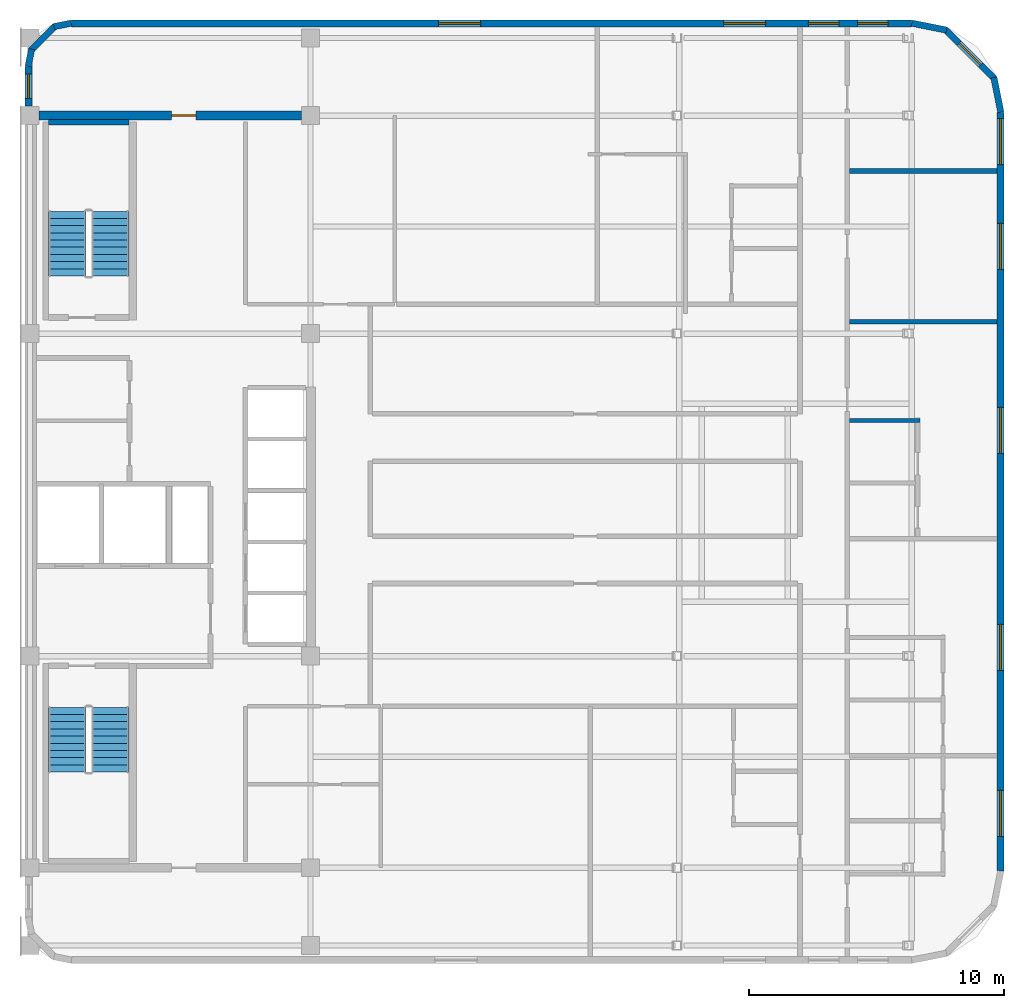
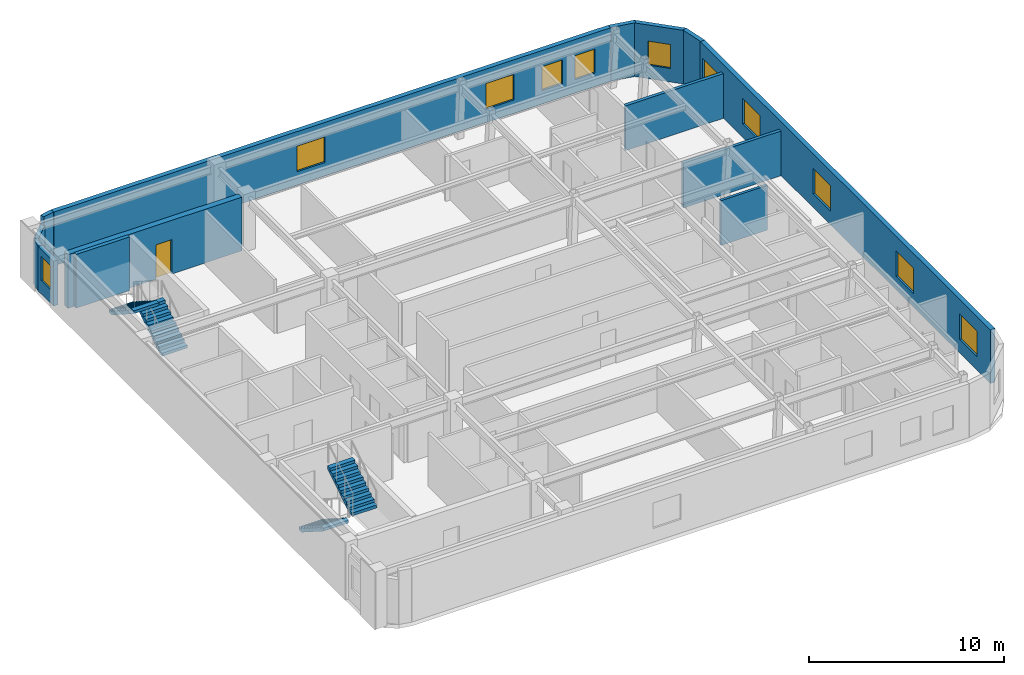
# One storey, part 5 of 6: 14 walls, 11 windows, 4 stair flights, 1 door, 12 openings, 2 elements without a shape of their own.
"""IFC4 building model written with IfcOpenShell, lengths in metres."""

from ifc_helpers import new_model, si_unit, direction, frame, frame_2d, origin, place, context, subcontext, project, spatial, polyline, rectangle, outline, extrude, material, layer, layer_set, type_object, element, fill, aggregate, save


model = new_model("IFC4")

# Units and contexts
model_context = context("Model", 3, precision=1e-05, world=origin(), true_north=direction((0.0, 1.0)))
body_context = subcontext(model_context, "Body", "Model", "MODEL_VIEW")
ifc_project = project(units=[si_unit("LENGTHUNIT", "METRE"), si_unit("AREAUNIT", "SQUARE_METRE"), si_unit("VOLUMEUNIT", "CUBIC_METRE"), si_unit("PLANEANGLEUNIT", "RADIAN"), si_unit("MASSUNIT", "GRAM", prefix="KILO")], contexts=[model_context])

# Site, building, storey
site_placement = place(None, origin())
site = spatial("IfcSite", under=ifc_project, at=site_placement, CompositionType="ELEMENT")
building_placement = place(site_placement, origin())
building = spatial("IfcBuilding", under=site, at=building_placement, Name="Ochreholt Gables", CompositionType="ELEMENT")
storey_placement = place(building_placement, frame((0.0, 0.0, 274.800048828125)))
storey = spatial("IfcBuildingStorey", under=building, at=storey_placement, Name="L72", CompositionType="ELEMENT", Elevation=274.800048828125)

# Wall, opening, door
ifc_material_1 = material(Name="Concrete 50 MPa", Category="concrete")
ifc_layer_1 = layer(ifc_material_1, 0.35009765625, Name="Concrete 50 MPa")
ifc_layer_set_1 = layer_set([ifc_layer_1], Name="Concrete 50 MPa")
wall_type_1 = type_object("IfcWallType", Name="WALL-CSW-350", PredefinedType="SHEAR", material=ifc_layer_set_1)
wall_1_placement = place(storey_placement, frame((24.550048828125, 38.75, 0.0), z_axis=(0.0, 0.0, 1.0), x_axis=(1.0, 0.0, 0.0)))
wall_1 = element("IfcWall", 1, at=wall_1_placement, inside=storey, type_object=wall_type_1, Name="L72 Core North Shear Wall", PredefinedType="SHEAR", context=body_context, shape_type="SweptSolid", body=[
    extrude(rectangle(XDim=10.300048828125, YDim=0.35009765625, at=frame_2d((5.14990234375, 0.0))), origin(), (0.0, 0.0, 1.0), 3.35986328125),
])
opening_1_placement = place(wall_1_placement, frame((5.199951171875, 0.0, 0.0)))
opening_1 = element("IfcOpeningElement", 2, at=opening_1_placement, cuts=wall_1, Name="Opening D-FL2", PredefinedType="OPENING", context=body_context, shape_type="SweptSolid", body=[
    extrude(rectangle(XDim=0.949951171875, YDim=2.14990234375, at=frame_2d((0.47509765625, 1.074951171875))), frame((0.0, 0.18505859375, 0.0), z_axis=(0.0, -1.0, 0.0), x_axis=(1.0, 0.0, 0.0)), (0.0, 0.0, 1.0), 0.3701171875),
])
ifc_material_2 = material(Name="Hollow Metal Steel", Category="steel")
door_type = type_object("IfcDoorType", Name="DR-INT-FLB950", OperationType="NOTDEFINED", PredefinedType="DOOR", material=ifc_material_2)
door_placement = place(opening_1_placement, origin())
door = element("IfcDoor", 3, at=door_placement, inside=storey, type_object=door_type, Name="L72 Door D-C3NSR-L72", OperationType="SINGLE_SWING_RIGHT", OverallHeight=2.14990234375, OverallWidth=0.949951171875, PredefinedType="DOOR", context=body_context, shape_type="SweptSolid", body=[
    extrude(rectangle(XDim=0.949951171875, YDim=2.14990234375, at=frame_2d((0.47509765625, 1.074951171875))), frame((0.0, 0.02490234375, 0.0), z_axis=(0.0, -1.0, 0.0), x_axis=(1.0, 0.0, 0.0)), (0.0, 0.0, 1.0), 0.050048828125),
])
fill(opening_1, door)

# Wall, openings, windows
ifc_material_3 = material(Name="Precast concrete 40 MPa", Category="concrete")
ifc_layer_2 = layer(ifc_material_3, 0.27001953125, Name="Precast concrete 40 MPa")
ifc_layer_set_2 = layer_set([ifc_layer_2], Name="Precast concrete 40 MPa")
wall_type_2 = type_object("IfcWallType", Name="WALL-EXT-270", PredefinedType="SOLIDWALL", material=ifc_layer_set_2)
wall_2_placement = place(storey_placement, frame((62.264892578125, 9.1201171875, 0.0), z_axis=(0.0, 0.0, 1.0), x_axis=(0.0, 1.0, 0.0)))
wall_2 = element("IfcWall", 4, at=wall_2_placement, inside=storey, type_object=wall_type_2, Name="L72 East Exterior Wall", PredefinedType="SOLIDWALL", context=body_context, shape_type="SweptSolid", body=[
    extrude(rectangle(XDim=29.759765625, YDim=0.27001953125, at=frame_2d((14.8798828125, 0.0))), origin(), (0.0, 0.0, 1.0), 3.35986328125),
])
opening_2_placement = place(wall_2_placement, frame((1.360107421875, 0.0, 0.85009765625)))
opening_2 = element("IfcOpeningElement", 5, at=opening_2_placement, cuts=wall_2, Name="Opening WN-1", PredefinedType="OPENING", context=body_context, shape_type="SweptSolid", body=[
    extrude(rectangle(XDim=1.800048828125, YDim=1.60009765625, at=frame_2d((0.89990234375, 0.800048828125))), frame((0.0, 0.14501953125, 0.0), z_axis=(0.0, -1.0, 0.0), x_axis=(1.0, 0.0, 0.0)), (0.0, 0.0, 1.0), 0.2900390625),
])
opening_3_placement = place(wall_2_placement, frame((7.875, 0.0, 0.85009765625)))
opening_3 = element("IfcOpeningElement", 6, at=opening_3_placement, cuts=wall_2, Name="Opening WN-1", PredefinedType="OPENING", context=body_context, shape_type="SweptSolid", body=[
    extrude(rectangle(XDim=1.800048828125, YDim=1.60009765625, at=frame_2d((0.89990234375, 0.800048828125))), frame((0.0, 0.14501953125, 0.0), z_axis=(0.0, -1.0, 0.0), x_axis=(1.0, 0.0, 0.0)), (0.0, 0.0, 1.0), 0.2900390625),
])
opening_4_placement = place(wall_2_placement, frame((16.385009765625, 0.0, 0.85009765625)))
opening_4 = element("IfcOpeningElement", 7, at=opening_4_placement, cuts=wall_2, Name="Opening WN-1", PredefinedType="OPENING", context=body_context, shape_type="SweptSolid", body=[
    extrude(rectangle(XDim=1.800048828125, YDim=1.60009765625, at=frame_2d((0.89990234375, 0.800048828125))), frame((0.0, 0.14501953125, 0.0), z_axis=(0.0, -1.0, 0.0), x_axis=(1.0, 0.0, 0.0)), (0.0, 0.0, 1.0), 0.2900390625),
])
opening_5_placement = place(wall_2_placement, frame((23.60009765625, 0.0, 0.85009765625)))
opening_5 = element("IfcOpeningElement", 8, at=opening_5_placement, cuts=wall_2, Name="Opening WN-1", PredefinedType="OPENING", context=body_context, shape_type="SweptSolid", body=[
    extrude(rectangle(XDim=1.800048828125, YDim=1.60009765625, at=frame_2d((0.89990234375, 0.800048828125))), frame((0.0, 0.14501953125, 0.0), z_axis=(0.0, -1.0, 0.0), x_axis=(1.0, 0.0, 0.0)), (0.0, 0.0, 1.0), 0.2900390625),
])
opening_6_placement = place(wall_2_placement, frame((27.7099609375, 0.0, 0.85009765625)))
opening_6 = element("IfcOpeningElement", 9, at=opening_6_placement, cuts=wall_2, Name="Opening WN-1", PredefinedType="OPENING", context=body_context, shape_type="SweptSolid", body=[
    extrude(rectangle(XDim=1.800048828125, YDim=1.60009765625, at=frame_2d((0.89990234375, 0.800048828125))), frame((0.0, 0.14501953125, 0.0), z_axis=(0.0, -1.0, 0.0), x_axis=(1.0, 0.0, 0.0)), (0.0, 0.0, 1.0), 0.2900390625),
])
ifc_material_4 = material(Name="Triple-Glazed Thermally Broken Aluminium Window", Category="aluminium")
window_type_1 = type_object("IfcWindowType", Name="WIN-RES-1800", PartitioningType="SINGLE_PANEL", PredefinedType="WINDOW", material=ifc_material_4)
window_1_placement = place(opening_2_placement, origin())
window_1 = element("IfcWindow", 10, at=window_1_placement, inside=storey, type_object=window_type_1, Name="L72 Window W-EXT-E-L72-1", OverallHeight=1.60009765625, OverallWidth=1.800048828125, PartitioningType="SINGLE_PANEL", PredefinedType="WINDOW", context=body_context, shape_type="SweptSolid", body=[
    extrude(rectangle(XDim=1.800048828125, YDim=1.60009765625, at=frame_2d((0.89990234375, 0.800048828125))), frame((0.0, 0.030029296875, 0.0), z_axis=(0.0, -1.0, 0.0), x_axis=(1.0, 0.0, 0.0)), (0.0, 0.0, 1.0), 0.06005859375),
])
fill(opening_2, window_1)
window_2_placement = place(opening_3_placement, origin())
window_2 = element("IfcWindow", 11, at=window_2_placement, inside=storey, type_object=window_type_1, Name="L72 Window W-EXT-E-L72-2", OverallHeight=1.60009765625, OverallWidth=1.800048828125, PartitioningType="SINGLE_PANEL", PredefinedType="WINDOW", context=body_context, shape_type="SweptSolid", body=[
    extrude(rectangle(XDim=1.800048828125, YDim=1.60009765625, at=frame_2d((0.89990234375, 0.800048828125))), frame((0.0, 0.030029296875, 0.0), z_axis=(0.0, -1.0, 0.0), x_axis=(1.0, 0.0, 0.0)), (0.0, 0.0, 1.0), 0.06005859375),
])
fill(opening_3, window_2)
window_3_placement = place(opening_4_placement, origin())
window_3 = element("IfcWindow", 12, at=window_3_placement, inside=storey, type_object=window_type_1, Name="L72 Window W-EXT-E-L72-3", OverallHeight=1.60009765625, OverallWidth=1.800048828125, PartitioningType="SINGLE_PANEL", PredefinedType="WINDOW", context=body_context, shape_type="SweptSolid", body=[
    extrude(rectangle(XDim=1.800048828125, YDim=1.60009765625, at=frame_2d((0.89990234375, 0.800048828125))), frame((0.0, 0.030029296875, 0.0), z_axis=(0.0, -1.0, 0.0), x_axis=(1.0, 0.0, 0.0)), (0.0, 0.0, 1.0), 0.06005859375),
])
fill(opening_4, window_3)
window_4_placement = place(opening_5_placement, origin())
window_4 = element("IfcWindow", 13, at=window_4_placement, inside=storey, type_object=window_type_1, Name="L72 Window W-EXT-E-L72-4", OverallHeight=1.60009765625, OverallWidth=1.800048828125, PartitioningType="SINGLE_PANEL", PredefinedType="WINDOW", context=body_context, shape_type="SweptSolid", body=[
    extrude(rectangle(XDim=1.800048828125, YDim=1.60009765625, at=frame_2d((0.89990234375, 0.800048828125))), frame((0.0, 0.030029296875, 0.0), z_axis=(0.0, -1.0, 0.0), x_axis=(1.0, 0.0, 0.0)), (0.0, 0.0, 1.0), 0.06005859375),
])
fill(opening_5, window_4)
window_5_placement = place(opening_6_placement, origin())
window_5 = element("IfcWindow", 14, at=window_5_placement, inside=storey, type_object=window_type_1, Name="L72 Window W-EXT-E-L72-5", OverallHeight=1.60009765625, OverallWidth=1.800048828125, PartitioningType="SINGLE_PANEL", PredefinedType="WINDOW", context=body_context, shape_type="SweptSolid", body=[
    extrude(rectangle(XDim=1.800048828125, YDim=1.60009765625, at=frame_2d((0.89990234375, 0.800048828125))), frame((0.0, 0.030029296875, 0.0), z_axis=(0.0, -1.0, 0.0), x_axis=(1.0, 0.0, 0.0)), (0.0, 0.0, 1.0), 0.06005859375),
])
fill(opening_6, window_5)

wall_3_placement = place(storey_placement, frame((58.780029296875, 42.364990234375, 0.0), z_axis=(0.0, 0.0, 1.0), x_axis=(-1.0, 0.0, 0.0)))
wall_3 = element("IfcWall", 15, at=wall_3_placement, inside=storey, type_object=wall_type_2, Name="L72 North Exterior Wall", PredefinedType="SOLIDWALL", context=body_context, shape_type="SweptSolid", body=[
    extrude(rectangle(XDim=32.9599609375, YDim=0.27001953125, at=frame_2d((16.47998046875, 0.0))), origin(), (0.0, 0.0, 1.0), 3.35986328125),
])
opening_7_placement = place(wall_3_placement, frame((16.909912109375, 0.0, 0.85009765625)))
opening_7 = element("IfcOpeningElement", 16, at=opening_7_placement, cuts=wall_3, Name="Opening WN-7", PredefinedType="OPENING", context=body_context, shape_type="SweptSolid", body=[
    extrude(rectangle(XDim=1.64990234375, YDim=1.60009765625, at=frame_2d((0.824951171875, 0.800048828125))), frame((0.0, 0.14501953125, 0.0), z_axis=(0.0, -1.0, 0.0), x_axis=(1.0, 0.0, 0.0)), (0.0, 0.0, 1.0), 0.2900390625),
])
opening_8_placement = place(wall_3_placement, frame((5.7265625, 0.0, 0.85009765625)))
opening_8 = element("IfcOpeningElement", 17, at=opening_8_placement, cuts=wall_3, Name="Opening WN-7", PredefinedType="OPENING", context=body_context, shape_type="SweptSolid", body=[
    extrude(rectangle(XDim=1.64990234375, YDim=1.60009765625, at=frame_2d((0.824951171875, 0.800048828125))), frame((0.0, 0.14501953125, 0.0), z_axis=(0.0, -1.0, 0.0), x_axis=(1.0, 0.0, 0.0)), (0.0, 0.0, 1.0), 0.2900390625),
])
opening_9_placement = place(wall_3_placement, frame((2.85498046875, 0.0, 0.85009765625)))
opening_9 = element("IfcOpeningElement", 18, at=opening_9_placement, cuts=wall_3, Name="Opening WN-3", PredefinedType="OPENING", context=body_context, shape_type="SweptSolid", body=[
    extrude(rectangle(XDim=1.199951171875, YDim=1.5, at=frame_2d((0.60009765625, 0.75))), frame((0.0, 0.14501953125, 0.0), z_axis=(0.0, -1.0, 0.0), x_axis=(1.0, 0.0, 0.0)), (0.0, 0.0, 1.0), 0.2900390625),
])
opening_10_placement = place(wall_3_placement, frame((0.92529296875, 0.0, 0.85009765625)))
opening_10 = element("IfcOpeningElement", 19, at=opening_10_placement, cuts=wall_3, Name="Opening WN-3", PredefinedType="OPENING", context=body_context, shape_type="SweptSolid", body=[
    extrude(rectangle(XDim=1.199951171875, YDim=1.5, at=frame_2d((0.60009765625, 0.75))), frame((0.0, 0.14501953125, 0.0), z_axis=(0.0, -1.0, 0.0), x_axis=(1.0, 0.0, 0.0)), (0.0, 0.0, 1.0), 0.2900390625),
])
window_type_2 = type_object("IfcWindowType", Name="WIN-RES-1200", PartitioningType="SINGLE_PANEL", PredefinedType="WINDOW", material=ifc_material_4)
window_6_placement = place(opening_9_placement, origin())
window_6 = element("IfcWindow", 20, at=window_6_placement, inside=storey, type_object=window_type_2, Name="L72 Window W-EXT-N-L72-3", OverallHeight=1.5, OverallWidth=1.199951171875, PartitioningType="SINGLE_PANEL", PredefinedType="WINDOW", context=body_context, shape_type="SweptSolid", body=[
    extrude(rectangle(XDim=1.199951171875, YDim=1.5, at=frame_2d((0.60009765625, 0.75))), frame((0.0, 0.030029296875, 0.0), z_axis=(0.0, -1.0, 0.0), x_axis=(1.0, 0.0, 0.0)), (0.0, 0.0, 1.0), 0.06005859375),
])
fill(opening_9, window_6)
window_7_placement = place(opening_10_placement, origin())
window_7 = element("IfcWindow", 21, at=window_7_placement, inside=storey, type_object=window_type_2, Name="L72 Window W-EXT-N-L72-4", OverallHeight=1.5, OverallWidth=1.199951171875, PartitioningType="SINGLE_PANEL", PredefinedType="WINDOW", context=body_context, shape_type="SweptSolid", body=[
    extrude(rectangle(XDim=1.199951171875, YDim=1.5, at=frame_2d((0.60009765625, 0.75))), frame((0.0, 0.030029296875, 0.0), z_axis=(0.0, -1.0, 0.0), x_axis=(1.0, 0.0, 0.0)), (0.0, 0.0, 1.0), 0.06005859375),
])
fill(opening_10, window_7)
window_type_3 = type_object("IfcWindowType", Name="WIN-RES-1650", PartitioningType="SINGLE_PANEL", PredefinedType="WINDOW", material=ifc_material_4)
window_8_placement = place(opening_7_placement, origin())
window_8 = element("IfcWindow", 22, at=window_8_placement, inside=storey, type_object=window_type_3, Name="L72 Window W-EXT-N-L72-1", OverallHeight=1.60009765625, OverallWidth=1.64990234375, PartitioningType="SINGLE_PANEL", PredefinedType="WINDOW", context=body_context, shape_type="SweptSolid", body=[
    extrude(rectangle(XDim=1.64990234375, YDim=1.60009765625, at=frame_2d((0.824951171875, 0.800048828125))), frame((0.0, 0.030029296875, 0.0), z_axis=(0.0, -1.0, 0.0), x_axis=(1.0, 0.0, 0.0)), (0.0, 0.0, 1.0), 0.06005859375),
])
fill(opening_7, window_8)
window_9_placement = place(opening_8_placement, origin())
window_9 = element("IfcWindow", 23, at=window_9_placement, inside=storey, type_object=window_type_3, Name="L72 Window W-EXT-N-L72-2", OverallHeight=1.60009765625, OverallWidth=1.64990234375, PartitioningType="SINGLE_PANEL", PredefinedType="WINDOW", context=body_context, shape_type="SweptSolid", body=[
    extrude(rectangle(XDim=1.64990234375, YDim=1.60009765625, at=frame_2d((0.824951171875, 0.800048828125))), frame((0.0, 0.030029296875, 0.0), z_axis=(0.0, -1.0, 0.0), x_axis=(1.0, 0.0, 0.0)), (0.0, 0.0, 1.0), 0.06005859375),
])
fill(opening_8, window_9)

# Wall, opening, window
wall_4_placement = place(storey_placement, frame((24.135009765625, 39.1201171875, 0.0), z_axis=(0.0, 0.0, 1.0), x_axis=(0.0, 1.0, 0.0)))
wall_4 = element("IfcWall", 24, at=wall_4_placement, inside=storey, type_object=wall_type_2, Name="L72 West Facade North Bay Wall", PredefinedType="SOLIDWALL", context=body_context, shape_type="SweptSolid", body=[
    extrude(rectangle(XDim=1.559814453125, YDim=0.27001953125, at=frame_2d((0.77978515625, 0.0))), origin(), (0.0, 0.0, 1.0), 2.802978515625),
])
opening_11_placement = place(wall_4_placement, frame((0.304931640625, 0.0, 0.85009765625)))
opening_11 = element("IfcOpeningElement", 25, at=opening_11_placement, cuts=wall_4, Name="Opening WN-10", PredefinedType="OPENING", context=body_context, shape_type="SweptSolid", body=[
    extrude(rectangle(XDim=0.949951171875, YDim=1.5, at=frame_2d((0.47509765625, 0.75))), frame((0.0, 0.14501953125, 0.0), z_axis=(0.0, -1.0, 0.0), x_axis=(1.0, 0.0, 0.0)), (0.0, 0.0, 1.0), 0.2900390625),
])
window_type_4 = type_object("IfcWindowType", Name="WIN-RES-950", PartitioningType="SINGLE_PANEL", PredefinedType="WINDOW", material=ifc_material_4)
window_10_placement = place(opening_11_placement, origin())
window_10 = element("IfcWindow", 26, at=window_10_placement, inside=storey, type_object=window_type_4, Name="L72 North Sky Reading West Window", OverallHeight=1.5, OverallWidth=0.949951171875, PartitioningType="SINGLE_PANEL", PredefinedType="WINDOW", context=body_context, shape_type="SweptSolid", body=[
    extrude(rectangle(XDim=0.949951171875, YDim=1.5, at=frame_2d((0.47509765625, 0.75))), frame((0.0, 0.030029296875, 0.0), z_axis=(0.0, -1.0, 0.0), x_axis=(1.0, 0.0, 0.0)), (0.0, 0.0, 1.0), 0.06005859375),
])
fill(opening_11, window_10)

# Wall
ifc_layer_3 = layer(ifc_material_3, 0.25, Name="Precast concrete 40 MPa")
ifc_layer_set_3 = layer_set([ifc_layer_3], Name="Precast concrete 40 MPa")
wall_type_3 = type_object("IfcWallType", Name="WALL-EXT-CNR", PredefinedType="SOLIDWALL", material=ifc_layer_set_3)
wall_5_placement = place(storey_placement, frame((62.27587890625, 38.883544921875, 0.0), z_axis=(0.0, 0.0, 1.0), x_axis=(-0.195135625965, 0.9807762678, 0.0)))
element("IfcWall", 27, at=wall_5_placement, inside=storey, type_object=wall_type_3, Name="L72 Rounded Corner Wall NE-1", PredefinedType="SOLIDWALL", context=body_context, shape_type="SweptSolid", body=[
    extrude(rectangle(XDim=1.388671875, YDim=0.25, at=frame_2d((0.6943359375, 0.0))), origin(), (0.0, 0.0, 1.0), 3.35986328125),
])

# Wall, opening, window
wall_6_placement = place(storey_placement, frame((62.031982421875, 40.195068359375, 0.0), z_axis=(0.0, 0.0, 1.0), x_axis=(-0.707106781187, 0.707106781187, 0.0)))
wall_6 = element("IfcWall", 28, at=wall_6_placement, inside=storey, type_object=wall_type_3, Name="L72 Rounded Corner Wall NE-2", PredefinedType="SOLIDWALL", context=body_context, shape_type="SweptSolid", body=[
    extrude(rectangle(XDim=2.7392578125, YDim=0.25, at=frame_2d((1.36962890625, 0.0))), origin(), (0.0, 0.0, 1.0), 3.35986328125),
])
opening_12_placement = place(wall_6_placement, frame((0.769775390625, 0.0, 0.85009765625)))
opening_12 = element("IfcOpeningElement", 29, at=opening_12_placement, cuts=wall_6, Name="Opening WN-3", PredefinedType="OPENING", context=body_context, shape_type="SweptSolid", body=[
    extrude(rectangle(XDim=1.199951171875, YDim=1.5, at=frame_2d((0.60009765625, 0.75))), frame((0.0, 0.135009765625, 0.0), z_axis=(0.0, -1.0, 0.0), x_axis=(1.0, 0.0, 0.0)), (0.0, 0.0, 1.0), 0.27001953125),
])
window_11_placement = place(opening_12_placement, origin())
window_11 = element("IfcWindow", 30, at=window_11_placement, inside=storey, type_object=window_type_2, Name="L72 Corner Bedroom Window NE", OverallHeight=1.5, OverallWidth=1.199951171875, PartitioningType="SINGLE_PANEL", PredefinedType="WINDOW", context=body_context, shape_type="SweptSolid", body=[
    extrude(rectangle(XDim=1.199951171875, YDim=1.5, at=frame_2d((0.60009765625, 0.75))), frame((0.0, 0.030029296875, 0.0), z_axis=(0.0, -1.0, 0.0), x_axis=(1.0, 0.0, 0.0)), (0.0, 0.0, 1.0), 0.06005859375),
])
fill(opening_12, window_11)

# Walls
wall_7_placement = place(storey_placement, frame((60.1455078125, 42.10498046875, 0.0), z_axis=(0.0, 0.0, 1.0), x_axis=(-0.980809899341, 0.19496651342, 0.0)))
element("IfcWall", 31, at=wall_7_placement, inside=storey, type_object=wall_type_3, Name="L72 Rounded Corner Wall NE-3", PredefinedType="SOLIDWALL", context=body_context, shape_type="SweptSolid", body=[
    extrude(rectangle(XDim=1.388671875, YDim=0.25, at=frame_2d((0.6943359375, 0.0))), origin(), (0.0, 0.0, 1.0), 3.35986328125),
])
wall_8_placement = place(storey_placement, frame((25.81640625, 42.375732421875, 0.0), z_axis=(0.0, 0.0, 1.0), x_axis=(-0.980812594069, -0.194952956674, 0.0)))
element("IfcWall", 32, at=wall_8_placement, inside=storey, type_object=wall_type_3, Name="L72 Rounded Corner Wall NW-1", PredefinedType="SOLIDWALL", context=body_context, shape_type="SweptSolid", body=[
    extrude(rectangle(XDim=0.686279296875, YDim=0.25, at=frame_2d((0.34326171875, 0.0))), origin(), (0.0, 0.0, 1.0), 3.35986328125),
])
wall_9_placement = place(storey_placement, frame((25.19384765625, 42.26904296875, 0.0), z_axis=(0.0, 0.0, 1.0), x_axis=(-0.707106781187, -0.707106781187, 0.0)))
element("IfcWall", 33, at=wall_9_placement, inside=storey, type_object=wall_type_3, Name="L72 Rounded Corner Wall NW-2", PredefinedType="SOLIDWALL", context=body_context, shape_type="SweptSolid", body=[
    extrude(rectangle(XDim=1.36181640625, YDim=0.25, at=frame_2d((0.680908203125, 0.0))), origin(), (0.0, 0.0, 1.0), 2.802978515625),
])
wall_10_placement = place(storey_placement, frame((24.258056640625, 41.356689453125, 0.0), z_axis=(0.0, 0.0, 1.0), x_axis=(-0.194952956674, -0.980812594069, 0.0)))
element("IfcWall", 34, at=wall_10_placement, inside=storey, type_object=wall_type_3, Name="L72 Rounded Corner Wall NW-3", PredefinedType="SOLIDWALL", context=body_context, shape_type="SweptSolid", body=[
    extrude(rectangle(XDim=0.686279296875, YDim=0.25, at=frame_2d((0.34326171875, 0.0))), origin(), (0.0, 0.0, 1.0), 2.802978515625),
])
ifc_material_5 = material(Name="Double-Stud Acoustic Demising Wall", Category="gypsum")
ifc_layer_4 = layer(ifc_material_5, 0.18505859375, Name="Double-Stud Acoustic Demising Wall")
ifc_layer_set_4 = layer_set([ifc_layer_4], Name="Double-Stud Acoustic Demising Wall")
wall_type_4 = type_object("IfcWallType", Name="WALL-INT-DM185", PredefinedType="PARTITIONING", material=ifc_layer_set_4)
for number, where, z_axis, x_axis, name in (
    (35, (56.340087890625, 30.659912109375, 0.0), (0.0, 0.0, 1.0), (1.0, 0.0, 0.0), "L72 Interior Wall WI-C3UDE4-L72"),
    (36, (56.340087890625, 36.580078125, 0.0), (0.0, 0.0, 1.0), (1.0, 0.0, 0.0), "L72 Interior Wall WI-C3UDE5-L72"),
):
    element("IfcWall", number, at=place(storey_placement, frame(where, z_axis=z_axis, x_axis=x_axis)), inside=storey, type_object=wall_type_4, Name=name, PredefinedType="PARTITIONING", context=body_context, shape_type="SweptSolid", body=[
        extrude(rectangle(XDim=5.789794921875, YDim=0.18505859375, at=frame_2d((2.89501953125, 0.0))), origin(), (0.0, 0.0, 1.0), 2.802978515625),
    ])
ifc_material_6 = material(Name="Moisture-Resistant Plumbing Chase Wall", Category="gypsum")
ifc_layer_5 = layer(ifc_material_6, 0.159912109375, Name="Moisture-Resistant Plumbing Chase Wall")
ifc_layer_set_5 = layer_set([ifc_layer_5], Name="Moisture-Resistant Plumbing Chase Wall")
wall_type_5 = type_object("IfcWallType", Name="WALL-INT-PL160", PredefinedType="PLUMBINGWALL", material=ifc_layer_set_5)
wall_11_placement = place(storey_placement, frame((56.340087890625, 26.7900390625, 0.0), z_axis=(0.0, 0.0, 1.0), x_axis=(1.0, 0.0, 0.0)))
element("IfcWall", 37, at=wall_11_placement, inside=storey, type_object=wall_type_5, Name="L72 Interior Wall WU-L72E3-WYN", PredefinedType="PLUMBINGWALL", context=body_context, shape_type="SweptSolid", body=[
    extrude(rectangle(XDim=2.7578125, YDim=0.159912109375, at=frame_2d((1.37890625, 0.0))), origin(), (0.0, 0.0, 1.0), 2.802978515625),
])
ifc_layer_6 = layer(ifc_material_1, 0.219970703125, Name="Concrete 50 MPa")
ifc_layer_set_6 = layer_set([ifc_layer_6], Name="Concrete 50 MPa")
wall_type_6 = type_object("IfcWallType", Name="WALL-STW-220", PredefinedType="SHEAR", material=ifc_layer_set_6)
wall_12_placement = place(storey_placement, frame((24.919921875, 38.489990234375, 0.0), z_axis=(0.0, 0.0, 1.0), x_axis=(1.0, 0.0, 0.0)))
element("IfcWall", 38, at=wall_12_placement, inside=storey, type_object=wall_type_6, Name="L72 Exit Stair 2 North Wall", PredefinedType="SHEAR", context=body_context, shape_type="SweptSolid", body=[
    extrude(rectangle(XDim=3.16015625, YDim=0.219970703125, at=frame_2d((1.580078125, 0.0))), origin(), (0.0, 0.0, 1.0), 3.35986328125),
])

# Stair, stair flights
ifc_material_7 = material(Name="Concrete 40 MPa", Category="concrete")
stair_type_1 = type_object("IfcStairType", Name="STAIR-CORE-ST-1", PredefinedType="HALF_TURN_STAIR", material=ifc_material_7)
stair_1_placement = place(storey_placement, origin())
stair_1 = element("IfcStair", 39, at=stair_1_placement, inside=storey, type_object=stair_type_1, Name="L72 Core Exit Stair 1", PredefinedType="HALF_TURN_STAIR")
stair_flight_type = type_object("IfcStairFlightType", Name="FLIGHT-ST-1480-1800", PredefinedType="STRAIGHT", material=ifc_material_7)
stair_flight_1_placement = place(storey_placement, frame((25.659912109375, 15.5400390625, 0.0), z_axis=(0.0, 0.0, 1.0), x_axis=(0.0, -1.0, 0.0)))
stair_flight_1 = element("IfcStairFlight", 40, at=stair_flight_1_placement, type_object=stair_flight_type, Name="ST-1 flight 1", NumberOfRisers=10, NumberOfTreads=9, PredefinedType="STRAIGHT", RiserHeight=0.18, TreadLength=0.282, context=body_context, shape_type="SweptSolid", body=[
    extrude(outline(polyline([(0.0, 0.0), (0.0, 0.179931640625), (0.281982421875, 0.179931640625), (0.281982421875, 0.360107421875), (0.56396484375, 0.360107421875), (0.56396484375, 0.5400390625), (0.845947265625, 0.5400390625), (0.845947265625, 0.719970703125), (1.1279296875, 0.719970703125), (1.1279296875, 0.89990234375), (1.409912109375, 0.89990234375), (1.409912109375, 1.080078125), (1.69189453125, 1.080078125), (1.69189453125, 1.260009765625), (1.97412109375, 1.260009765625), (1.97412109375, 1.43994140625), (2.256103515625, 1.43994140625), (2.256103515625, 1.6201171875), (2.5380859375, 1.6201171875), (2.5380859375, 1.800048828125), (2.5380859375, 1.442138671875), (0.278564453125, 0.0), (0.0, 0.0)])), frame((0.0, 0.739990234375, 0.0), z_axis=(0.0, -1.0, 0.0), x_axis=(1.0, 0.0, 0.0)), (0.0, 0.0, 1.0), 1.47998046875),
])
stair_flight_2_placement = place(storey_placement, frame((27.340087890625, 13.001953125, 1.800048828125), z_axis=(0.0, 0.0, 1.0), x_axis=(0.0, 1.0, 0.0)))
stair_flight_2 = element("IfcStairFlight", 41, at=stair_flight_2_placement, type_object=stair_flight_type, Name="ST-1 flight 2", NumberOfRisers=10, NumberOfTreads=9, PredefinedType="STRAIGHT", RiserHeight=0.18, TreadLength=0.282, context=body_context, shape_type="SweptSolid", body=[
    extrude(outline(polyline([(0.0, 0.0), (0.0, 0.179931640625), (0.281982421875, 0.179931640625), (0.281982421875, 0.360107421875), (0.56396484375, 0.360107421875), (0.56396484375, 0.5400390625), (0.845947265625, 0.5400390625), (0.845947265625, 0.719970703125), (1.1279296875, 0.719970703125), (1.1279296875, 0.89990234375), (1.409912109375, 0.89990234375), (1.409912109375, 1.080078125), (1.69189453125, 1.080078125), (1.69189453125, 1.260009765625), (1.97412109375, 1.260009765625), (1.97412109375, 1.43994140625), (2.256103515625, 1.43994140625), (2.256103515625, 1.6201171875), (2.5380859375, 1.6201171875), (2.5380859375, 1.800048828125), (2.5380859375, 1.442138671875), (0.278564453125, 0.0), (0.0, 0.0)])), frame((0.0, 0.739990234375, 0.0), z_axis=(0.0, -1.0, 0.0), x_axis=(1.0, 0.0, 0.0)), (0.0, 0.0, 1.0), 1.47998046875),
])
aggregate(stair_1, [stair_flight_1, stair_flight_2])

stair_type_2 = type_object("IfcStairType", Name="STAIR-CORE-ST-2", PredefinedType="HALF_TURN_STAIR", material=ifc_material_7)
stair_2_placement = place(storey_placement, origin())
stair_2 = element("IfcStair", 42, at=stair_2_placement, inside=storey, type_object=stair_type_2, Name="L72 Core Exit Stair 2", PredefinedType="HALF_TURN_STAIR")
stair_flight_3_placement = place(storey_placement, frame((27.340087890625, 32.4599609375, 0.0), z_axis=(0.0, 0.0, 1.0), x_axis=(0.0, 1.0, 0.0)))
stair_flight_3 = element("IfcStairFlight", 43, at=stair_flight_3_placement, type_object=stair_flight_type, Name="ST-2 flight 1", NumberOfRisers=10, NumberOfTreads=9, PredefinedType="STRAIGHT", RiserHeight=0.18, TreadLength=0.282, context=body_context, shape_type="SweptSolid", body=[
    extrude(outline(polyline([(0.0, 0.0), (0.0, 0.179931640625), (0.281982421875, 0.179931640625), (0.281982421875, 0.360107421875), (0.56396484375, 0.360107421875), (0.56396484375, 0.5400390625), (0.845947265625, 0.5400390625), (0.845947265625, 0.719970703125), (1.1279296875, 0.719970703125), (1.1279296875, 0.89990234375), (1.409912109375, 0.89990234375), (1.409912109375, 1.080078125), (1.69189453125, 1.080078125), (1.69189453125, 1.260009765625), (1.97412109375, 1.260009765625), (1.97412109375, 1.43994140625), (2.256103515625, 1.43994140625), (2.256103515625, 1.6201171875), (2.5380859375, 1.6201171875), (2.5380859375, 1.800048828125), (2.5380859375, 1.442138671875), (0.278564453125, 0.0), (0.0, 0.0)])), frame((0.0, 0.739990234375, 0.0), z_axis=(0.0, -1.0, 0.0), x_axis=(1.0, 0.0, 0.0)), (0.0, 0.0, 1.0), 1.47998046875),
])
stair_flight_4_placement = place(storey_placement, frame((25.659912109375, 34.998046875, 1.800048828125), z_axis=(0.0, 0.0, 1.0), x_axis=(0.0, -1.0, 0.0)))
stair_flight_4 = element("IfcStairFlight", 44, at=stair_flight_4_placement, type_object=stair_flight_type, Name="ST-2 flight 2", NumberOfRisers=10, NumberOfTreads=9, PredefinedType="STRAIGHT", RiserHeight=0.18, TreadLength=0.282, context=body_context, shape_type="SweptSolid", body=[
    extrude(outline(polyline([(0.0, 0.0), (0.0, 0.179931640625), (0.281982421875, 0.179931640625), (0.281982421875, 0.360107421875), (0.56396484375, 0.360107421875), (0.56396484375, 0.5400390625), (0.845947265625, 0.5400390625), (0.845947265625, 0.719970703125), (1.1279296875, 0.719970703125), (1.1279296875, 0.89990234375), (1.409912109375, 0.89990234375), (1.409912109375, 1.080078125), (1.69189453125, 1.080078125), (1.69189453125, 1.260009765625), (1.97412109375, 1.260009765625), (1.97412109375, 1.43994140625), (2.256103515625, 1.43994140625), (2.256103515625, 1.6201171875), (2.5380859375, 1.6201171875), (2.5380859375, 1.800048828125), (2.5380859375, 1.442138671875), (0.278564453125, 0.0), (0.0, 0.0)])), frame((0.0, 0.739990234375, 0.0), z_axis=(0.0, -1.0, 0.0), x_axis=(1.0, 0.0, 0.0)), (0.0, 0.0, 1.0), 1.47998046875),
])
aggregate(stair_2, [stair_flight_3, stair_flight_4])

save(model, "model.ifc")
